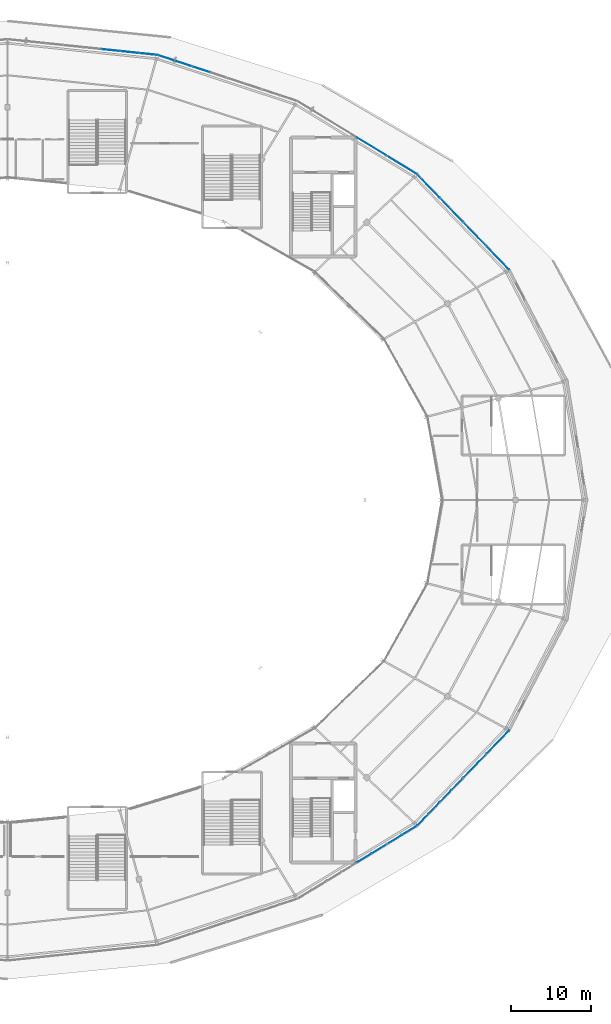
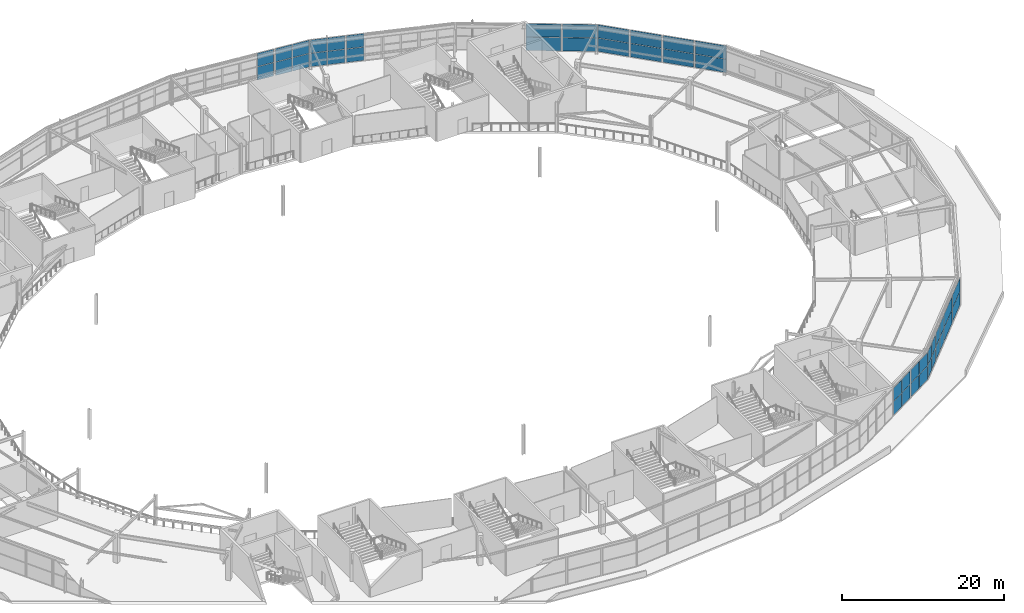
# One storey, part 99 of 126: 44 plates, 16 elements without a shape of their own.
"""IFC4 building model written with IfcOpenShell, lengths in metres."""

from ifc_helpers import new_model, si_unit, direction, frame, origin, origin_2d, place, context, subcontext, project, spatial, rectangle, extrude, material, layer, layer_set, type_object, element, aggregate, save


model = new_model("IFC4")

# Units and contexts
model_context = context("Model", 3, precision=1e-05, world=origin(), true_north=direction((0.0, 1.0)))
body_context = subcontext(model_context, "Body", "Model", "MODEL_VIEW")
ifc_project = project(units=[si_unit("LENGTHUNIT", "METRE"), si_unit("AREAUNIT", "SQUARE_METRE"), si_unit("VOLUMEUNIT", "CUBIC_METRE"), si_unit("PLANEANGLEUNIT", "RADIAN"), si_unit("MASSUNIT", "GRAM", prefix="KILO")], contexts=[model_context])

# Site, building, storey
site_placement = place(None, origin())
site = spatial("IfcSite", under=ifc_project, at=site_placement, CompositionType="ELEMENT")
building_placement = place(site_placement, origin())
building = spatial("IfcBuilding", under=site, at=building_placement, Name="Kalgoora Escarpment Arena", CompositionType="ELEMENT")
storey_placement = place(building_placement, frame((0.0, 0.0, 18.89990234375)))
storey = spatial("IfcBuildingStorey", under=building, at=storey_placement, Name="L04", CompositionType="ELEMENT", Elevation=18.89990234375)

# Curtain wall, plates
ifc_material_1 = material(Name=" Champagne anodised aluminium & double-glazed low-E", Category="aluminium")
ifc_layer_1 = layer(ifc_material_1, 0.166015625)
ifc_layer_set_1 = layer_set([ifc_layer_1], Name="CW-UNIT-19")
curtain_wall_type_1 = type_object("IfcCurtainWallType", Name="CW-UNIT-19", PredefinedType="NOTDEFINED", material=ifc_layer_set_1)
curtain_wall_1_placement = place(storey_placement, origin())
curtain_wall_1 = element("IfcCurtainWall", 1, at=curtain_wall_1_placement, inside=storey, type_object=curtain_wall_type_1, Name="L04 unitised facade curtain wall 098", PredefinedType="NOTDEFINED")
ifc_material_2 = material(Name="Low-E double-glazed insulated glass", Category="glass")
ifc_layer_2 = layer(ifc_material_2, 0.028076171875)
ifc_layer_set_2 = layer_set([ifc_layer_2], Name="PLT-CW-GLAZ-28")
plate_type_1 = type_object("IfcPlateType", Name="PLT-CW-GLAZ-28", PredefinedType="CURTAIN_PANEL", material=ifc_layer_set_2)
plate_1_placement = place(storey_placement, frame((153.593017578125, 33.81005859375, 0.0751953125), z_axis=(0.0, 0.0, 1.0), x_axis=(-0.69420247723, -0.719779772297, 0.0)))
plate_1 = element("IfcPlate", 2, at=plate_1_placement, type_object=plate_type_1, Name="CW-19 panel 1.1", PredefinedType="CURTAIN_PANEL", context=body_context, shape_type="SweptSolid", body=[
    extrude(rectangle(XDim=3.973388671875, YDim=0.028076171875, at=origin_2d()), origin(), (0.0, 0.0, 1.0), 2.012451171875),
])
plate_2_placement = place(storey_placement, frame((153.593017578125, 33.81005859375, 2.142578125), z_axis=(0.0, 0.0, 1.0), x_axis=(-0.69420247723, -0.719779772297, 0.0)))
plate_2 = element("IfcPlate", 3, at=plate_2_placement, type_object=plate_type_1, Name="CW-19 panel 1.2", PredefinedType="CURTAIN_PANEL", context=body_context, shape_type="SweptSolid", body=[
    extrude(rectangle(XDim=3.973388671875, YDim=0.028076171875, at=origin_2d()), origin(), (0.0, 0.0, 1.0), 1.992431640625),
])
aggregate(curtain_wall_1, [plate_1, plate_2])

ifc_material_3 = material(Name=" Champagne anodised aluminium & double-glazed low-E", Category="aluminium")
ifc_layer_3 = layer(ifc_material_3, 0.154052734375)
ifc_layer_set_3 = layer_set([ifc_layer_3], Name="CW-UNIT-01")
curtain_wall_type_2 = type_object("IfcCurtainWallType", Name="CW-UNIT-01", PredefinedType="NOTDEFINED", material=ifc_layer_set_3)
curtain_wall_2_placement = place(storey_placement, origin())
curtain_wall_2 = element("IfcCurtainWall", 4, at=curtain_wall_2_placement, inside=storey, type_object=curtain_wall_type_2, Name="L04 unitised facade curtain wall 100", PredefinedType="NOTDEFINED")
plate_3_placement = place(storey_placement, frame((148.51318359375, 28.543212890625, 0.080078125), z_axis=(0.0, 0.0, 1.0), x_axis=(-0.694205135116, -0.719777208849, 0.0)))
plate_3 = element("IfcPlate", 5, at=plate_3_placement, type_object=plate_type_1, Name="CW-01 panel 1.1", PredefinedType="CURTAIN_PANEL", context=body_context, shape_type="SweptSolid", body=[
    extrude(rectangle(XDim=1.92431640625, YDim=0.028076171875, at=origin_2d()), origin(), (0.0, 0.0, 1.0), 2.0048828125),
])
plate_4_placement = place(storey_placement, frame((148.51318359375, 28.543212890625, 2.14501953125), z_axis=(0.0, 0.0, 1.0), x_axis=(-0.694205135116, -0.719777208849, 0.0)))
plate_4 = element("IfcPlate", 6, at=plate_4_placement, type_object=plate_type_1, Name="CW-01 panel 1.2", PredefinedType="CURTAIN_PANEL", context=body_context, shape_type="SweptSolid", body=[
    extrude(rectangle(XDim=1.92431640625, YDim=0.028076171875, at=origin_2d()), origin(), (0.0, 0.0, 1.0), 1.985107421875),
])
plate_5_placement = place(storey_placement, frame((147.13232421875, 27.111572265625, 0.080078125), z_axis=(0.0, 0.0, 1.0), x_axis=(-0.694205135116, -0.719777208849, 0.0)))
plate_5 = element("IfcPlate", 7, at=plate_5_placement, type_object=plate_type_1, Name="CW-01 panel 2.1", PredefinedType="CURTAIN_PANEL", context=body_context, shape_type="SweptSolid", body=[
    extrude(rectangle(XDim=1.92431640625, YDim=0.028076171875, at=origin_2d()), origin(), (0.0, 0.0, 1.0), 2.0048828125),
])
plate_6_placement = place(storey_placement, frame((147.13232421875, 27.111572265625, 2.14501953125), z_axis=(0.0, 0.0, 1.0), x_axis=(-0.694205135116, -0.719777208849, 0.0)))
plate_6 = element("IfcPlate", 8, at=plate_6_placement, type_object=plate_type_1, Name="CW-01 panel 2.2", PredefinedType="CURTAIN_PANEL", context=body_context, shape_type="SweptSolid", body=[
    extrude(rectangle(XDim=1.92431640625, YDim=0.028076171875, at=origin_2d()), origin(), (0.0, 0.0, 1.0), 1.985107421875),
])
aggregate(curtain_wall_2, [plate_3, plate_4, plate_5, plate_6])

ifc_material_4 = material(Name=" Champagne anodised aluminium & double-glazed low-E", Category="aluminium")
ifc_layer_4 = layer(ifc_material_4, 0.162109375)
ifc_layer_set_4 = layer_set([ifc_layer_4], Name="CW-UNIT-03")
curtain_wall_type_3 = type_object("IfcCurtainWallType", Name="CW-UNIT-03", PredefinedType="NOTDEFINED", material=ifc_layer_set_4)
curtain_wall_3_placement = place(storey_placement, origin())
curtain_wall_3 = element("IfcCurtainWall", 9, at=curtain_wall_3_placement, inside=storey, type_object=curtain_wall_type_3, Name="L04 unitised facade curtain wall 102", PredefinedType="NOTDEFINED")
plate_7_placement = place(storey_placement, frame((142.57958984375, 22.79150390625, 0.080078125), z_axis=(0.0, 0.0, 1.0), x_axis=(-0.85353235978, -0.521039836105, 0.0)))
plate_7 = element("IfcPlate", 10, at=plate_7_placement, type_object=plate_type_1, Name="CW-03 panel 1.1", PredefinedType="CURTAIN_PANEL", context=body_context, shape_type="SweptSolid", body=[
    extrude(rectangle(XDim=2.10205078125, YDim=0.028076171875, at=origin_2d()), origin(), (0.0, 0.0, 1.0), 2.0048828125),
])
plate_8_placement = place(storey_placement, frame((142.57958984375, 22.79150390625, 2.14501953125), z_axis=(0.0, 0.0, 1.0), x_axis=(-0.85353235978, -0.521039836105, 0.0)))
plate_8 = element("IfcPlate", 11, at=plate_8_placement, type_object=plate_type_1, Name="CW-03 panel 1.2", PredefinedType="CURTAIN_PANEL", context=body_context, shape_type="SweptSolid", body=[
    extrude(rectangle(XDim=2.10205078125, YDim=0.028076171875, at=origin_2d()), origin(), (0.0, 0.0, 1.0), 1.985107421875),
])
plate_9_placement = place(storey_placement, frame((140.72998046875, 21.662353515625, 0.080078125), z_axis=(0.0, 0.0, 1.0), x_axis=(-0.85353235978, -0.521039836105, 0.0)))
plate_9 = element("IfcPlate", 12, at=plate_9_placement, type_object=plate_type_1, Name="CW-03 panel 2.1", PredefinedType="CURTAIN_PANEL", context=body_context, shape_type="SweptSolid", body=[
    extrude(rectangle(XDim=2.10205078125, YDim=0.028076171875, at=origin_2d()), origin(), (0.0, 0.0, 1.0), 2.0048828125),
])
plate_10_placement = place(storey_placement, frame((140.72998046875, 21.662353515625, 2.14501953125), z_axis=(0.0, 0.0, 1.0), x_axis=(-0.85353235978, -0.521039836105, 0.0)))
plate_10 = element("IfcPlate", 13, at=plate_10_placement, type_object=plate_type_1, Name="CW-03 panel 2.2", PredefinedType="CURTAIN_PANEL", context=body_context, shape_type="SweptSolid", body=[
    extrude(rectangle(XDim=2.10205078125, YDim=0.028076171875, at=origin_2d()), origin(), (0.0, 0.0, 1.0), 1.985107421875),
])
aggregate(curtain_wall_3, [plate_7, plate_8, plate_9, plate_10])

ifc_material_5 = material(Name=" Champagne anodised aluminium & double-glazed low-E", Category="aluminium")
ifc_layer_5 = layer(ifc_material_5, 0.14990234375)
ifc_layer_set_5 = layer_set([ifc_layer_5], Name="CW-UNIT-05")
curtain_wall_type_4 = type_object("IfcCurtainWallType", Name="CW-UNIT-05", PredefinedType="NOTDEFINED", material=ifc_layer_set_5)
curtain_wall_4_placement = place(storey_placement, origin())
curtain_wall_4 = element("IfcCurtainWall", 14, at=curtain_wall_4_placement, inside=storey, type_object=curtain_wall_type_4, Name="L04 unitised facade curtain wall 164", PredefinedType="NOTDEFINED")
plate_11_placement = place(storey_placement, frame((105.229248046875, 120.135498046875, 0.080078125), z_axis=(0.0, 0.0, 1.0), x_axis=(0.994558216596, -0.104182310405, 0.0)))
plate_11 = element("IfcPlate", 15, at=plate_11_placement, type_object=plate_type_1, Name="CW-05 panel 2.1", PredefinedType="CURTAIN_PANEL", context=body_context, shape_type="SweptSolid", body=[
    extrude(rectangle(XDim=2.20751953125, YDim=0.028076171875, at=origin_2d()), origin(), (0.0, 0.0, 1.0), 1.9951171875),
])
plate_12_placement = place(storey_placement, frame((105.229248046875, 120.135498046875, 2.135009765625), z_axis=(0.0, 0.0, 1.0), x_axis=(0.994558216596, -0.104182310405, 0.0)))
plate_12 = element("IfcPlate", 16, at=plate_12_placement, type_object=plate_type_1, Name="CW-05 panel 2.2", PredefinedType="CURTAIN_PANEL", context=body_context, shape_type="SweptSolid", body=[
    extrude(rectangle(XDim=2.20751953125, YDim=0.028076171875, at=origin_2d()), origin(), (0.0, 0.0, 1.0), 1.97509765625),
])
aggregate(curtain_wall_4, [plate_11, plate_12])

ifc_material_6 = material(Name=" Champagne anodised aluminium & double-glazed low-E", Category="aluminium")
ifc_layer_6 = layer(ifc_material_6, 0.157958984375)
ifc_layer_set_6 = layer_set([ifc_layer_6], Name="CW-UNIT-07")
curtain_wall_type_5 = type_object("IfcCurtainWallType", Name="CW-UNIT-07", PredefinedType="NOTDEFINED", material=ifc_layer_set_6)
curtain_wall_5_placement = place(storey_placement, origin())
curtain_wall_5 = element("IfcCurtainWall", 17, at=curtain_wall_5_placement, inside=storey, type_object=curtain_wall_type_5, Name="L04 unitised facade curtain wall 166", PredefinedType="NOTDEFINED")
plate_13_placement = place(storey_placement, frame((112.19580078125, 119.16259765625, 0.080078125), z_axis=(0.0, 0.0, 1.0), x_axis=(0.949759939888, -0.312979322933, 0.0)))
plate_13 = element("IfcPlate", 18, at=plate_13_placement, type_object=plate_type_1, Name="CW-07 panel 1.1", PredefinedType="CURTAIN_PANEL", context=body_context, shape_type="SweptSolid", body=[
    extrude(rectangle(XDim=2.175537109375, YDim=0.028076171875, at=origin_2d()), origin(), (0.0, 0.0, 1.0), 1.9951171875),
])
plate_14_placement = place(storey_placement, frame((112.19580078125, 119.16259765625, 2.135009765625), z_axis=(0.0, 0.0, 1.0), x_axis=(0.949759939888, -0.312979322933, 0.0)))
plate_14 = element("IfcPlate", 19, at=plate_14_placement, type_object=plate_type_1, Name="CW-07 panel 1.2", PredefinedType="CURTAIN_PANEL", context=body_context, shape_type="SweptSolid", body=[
    extrude(rectangle(XDim=2.175537109375, YDim=0.028076171875, at=origin_2d()), origin(), (0.0, 0.0, 1.0), 1.97509765625),
])
plate_15_placement = place(storey_placement, frame((114.323974609375, 118.461181640625, 0.080078125), z_axis=(0.0, 0.0, 1.0), x_axis=(0.949759939888, -0.312979322933, 0.0)))
plate_15 = element("IfcPlate", 20, at=plate_15_placement, type_object=plate_type_1, Name="CW-07 panel 2.1", PredefinedType="CURTAIN_PANEL", context=body_context, shape_type="SweptSolid", body=[
    extrude(rectangle(XDim=2.175537109375, YDim=0.028076171875, at=origin_2d()), origin(), (0.0, 0.0, 1.0), 1.9951171875),
])
plate_16_placement = place(storey_placement, frame((114.323974609375, 118.461181640625, 2.135009765625), z_axis=(0.0, 0.0, 1.0), x_axis=(0.949759939888, -0.312979322933, 0.0)))
plate_16 = element("IfcPlate", 21, at=plate_16_placement, type_object=plate_type_1, Name="CW-07 panel 2.2", PredefinedType="CURTAIN_PANEL", context=body_context, shape_type="SweptSolid", body=[
    extrude(rectangle(XDim=2.175537109375, YDim=0.028076171875, at=origin_2d()), origin(), (0.0, 0.0, 1.0), 1.97509765625),
])
aggregate(curtain_wall_5, [plate_13, plate_14, plate_15, plate_16])

ifc_material_7 = material(Name=" Champagne anodised aluminium & double-glazed low-E", Category="aluminium")
ifc_layer_7 = layer(ifc_material_7, 0.162109375)
ifc_layer_set_7 = layer_set([ifc_layer_7], Name="CW-UNIT-13")
curtain_wall_type_6 = type_object("IfcCurtainWallType", Name="CW-UNIT-13", PredefinedType="NOTDEFINED", material=ifc_layer_set_7)
curtain_wall_6_placement = place(storey_placement, origin())
curtain_wall_6 = element("IfcCurtainWall", 22, at=curtain_wall_6_placement, inside=storey, type_object=curtain_wall_type_6, Name="L04 unitised facade curtain wall 172", PredefinedType="NOTDEFINED")
plate_17_placement = place(storey_placement, frame((137.814697265625, 108.1171875, 0.0751953125), z_axis=(0.0, 0.0, 1.0), x_axis=(0.853516077733, -0.52106650732, 0.0)))
plate_17 = element("IfcPlate", 23, at=plate_17_placement, type_object=plate_type_1, Name="CW-13 panel 1.1", PredefinedType="CURTAIN_PANEL", context=body_context, shape_type="SweptSolid", body=[
    extrude(rectangle(XDim=4.27880859375, YDim=0.028076171875, at=origin_2d()), origin(), (0.0, 0.0, 1.0), 2.00244140625),
])
plate_18_placement = place(storey_placement, frame((137.814697265625, 108.1171875, 2.132568359375), z_axis=(0.0, 0.0, 1.0), x_axis=(0.853516077733, -0.52106650732, 0.0)))
plate_18 = element("IfcPlate", 24, at=plate_18_placement, type_object=plate_type_1, Name="CW-13 panel 1.2", PredefinedType="CURTAIN_PANEL", context=body_context, shape_type="SweptSolid", body=[
    extrude(rectangle(XDim=4.27880859375, YDim=0.028076171875, at=origin_2d()), origin(), (0.0, 0.0, 1.0), 1.982421875),
])
aggregate(curtain_wall_6, [plate_17, plate_18])

ifc_material_8 = material(Name=" Champagne anodised aluminium & double-glazed low-E", Category="aluminium")
ifc_layer_8 = layer(ifc_material_8, 0.14990234375)
ifc_layer_set_8 = layer_set([ifc_layer_8], Name="CW-UNIT-15")
curtain_wall_type_7 = type_object("IfcCurtainWallType", Name="CW-UNIT-15", PredefinedType="NOTDEFINED", material=ifc_layer_set_8)
curtain_wall_7_placement = place(storey_placement, origin())
curtain_wall_7 = element("IfcCurtainWall", 25, at=curtain_wall_7_placement, inside=storey, type_object=curtain_wall_type_7, Name="L04 unitised facade curtain wall 174", PredefinedType="NOTDEFINED")
plate_19_placement = place(storey_placement, frame((144.928955078125, 103.1728515625, 0.0751953125), z_axis=(0.0, 0.0, 1.0), x_axis=(0.69420247723, -0.719779772297, 0.0)))
plate_19 = element("IfcPlate", 26, at=plate_19_placement, type_object=plate_type_1, Name="CW-15 panel 1.1", PredefinedType="CURTAIN_PANEL", context=body_context, shape_type="SweptSolid", body=[
    extrude(rectangle(XDim=3.973388671875, YDim=0.028076171875, at=origin_2d()), origin(), (0.0, 0.0, 1.0), 2.00244140625),
])
plate_20_placement = place(storey_placement, frame((144.928955078125, 103.1728515625, 2.132568359375), z_axis=(0.0, 0.0, 1.0), x_axis=(0.69420247723, -0.719779772297, 0.0)))
plate_20 = element("IfcPlate", 27, at=plate_20_placement, type_object=plate_type_1, Name="CW-15 panel 1.2", PredefinedType="CURTAIN_PANEL", context=body_context, shape_type="SweptSolid", body=[
    extrude(rectangle(XDim=3.973388671875, YDim=0.028076171875, at=origin_2d()), origin(), (0.0, 0.0, 1.0), 1.982421875),
])
aggregate(curtain_wall_7, [plate_19, plate_20])

ifc_material_9 = material(Name=" Champagne anodised aluminium & double-glazed low-E", Category="aluminium")
ifc_layer_9 = layer(ifc_material_9, 0.157958984375)
ifc_layer_set_9 = layer_set([ifc_layer_9], Name="CW-UNIT-17")
curtain_wall_type_8 = type_object("IfcCurtainWallType", Name="CW-UNIT-17", PredefinedType="NOTDEFINED", material=ifc_layer_set_9)
curtain_wall_8_placement = place(storey_placement, origin())
curtain_wall_8 = element("IfcCurtainWall", 28, at=curtain_wall_8_placement, inside=storey, type_object=curtain_wall_type_8, Name="L04 unitised facade curtain wall 176", PredefinedType="NOTDEFINED")
plate_21_placement = place(storey_placement, frame((150.69921875, 97.190185546875, 0.0751953125), z_axis=(0.0, 0.0, 1.0), x_axis=(0.694205135116, -0.719777208849, 0.0)))
plate_21 = element("IfcPlate", 29, at=plate_21_placement, type_object=plate_type_1, Name="CW-17 panel 1.1", PredefinedType="CURTAIN_PANEL", context=body_context, shape_type="SweptSolid", body=[
    extrude(rectangle(XDim=3.923583984375, YDim=0.028076171875, at=origin_2d()), origin(), (0.0, 0.0, 1.0), 2.00244140625),
])
plate_22_placement = place(storey_placement, frame((150.69921875, 97.190185546875, 2.132568359375), z_axis=(0.0, 0.0, 1.0), x_axis=(0.694205135116, -0.719777208849, 0.0)))
plate_22 = element("IfcPlate", 30, at=plate_22_placement, type_object=plate_type_1, Name="CW-17 panel 1.2", PredefinedType="CURTAIN_PANEL", context=body_context, shape_type="SweptSolid", body=[
    extrude(rectangle(XDim=3.923583984375, YDim=0.028076171875, at=origin_2d()), origin(), (0.0, 0.0, 1.0), 1.982421875),
])
aggregate(curtain_wall_8, [plate_21, plate_22])

ifc_material_10 = material(Name=" Champagne anodised aluminium & double-glazed low-E", Category="aluminium")
ifc_layer_10 = layer(ifc_material_10, 0.14990234375)
ifc_layer_set_10 = layer_set([ifc_layer_10], Name="CW-UNIT-20")
curtain_wall_type_9 = type_object("IfcCurtainWallType", Name="CW-UNIT-20", PredefinedType="NOTDEFINED", material=ifc_layer_set_10)
curtain_wall_9_placement = place(storey_placement, origin())
curtain_wall_9 = element("IfcCurtainWall", 31, at=curtain_wall_9_placement, inside=storey, type_object=curtain_wall_type_9, Name="L04 unitised facade curtain wall 099", PredefinedType="NOTDEFINED")
ifc_material_11 = material(Name="Acoustic laminated solar-control glass", Category="glass")
ifc_layer_11 = layer(ifc_material_11, 0.033935546875)
ifc_layer_set_11 = layer_set([ifc_layer_11], Name="PLT-CW-GLAZ-34")
plate_type_2 = type_object("IfcPlateType", Name="PLT-CW-GLAZ-34", PredefinedType="CURTAIN_PANEL", material=ifc_layer_set_11)
plate_23_placement = place(storey_placement, frame((150.69921875, 30.809814453125, 0.0751953125), z_axis=(0.0, 0.0, 1.0), x_axis=(-0.694205135116, -0.719777208849, 0.0)))
plate_23 = element("IfcPlate", 32, at=plate_23_placement, type_object=plate_type_2, Name="CW-20 panel 1.1", PredefinedType="CURTAIN_PANEL", context=body_context, shape_type="SweptSolid", body=[
    extrude(rectangle(XDim=3.923583984375, YDim=0.033935546875, at=origin_2d()), origin(), (0.0, 0.0, 1.0), 2.012451171875),
])
plate_24_placement = place(storey_placement, frame((150.69921875, 30.809814453125, 2.142578125), z_axis=(0.0, 0.0, 1.0), x_axis=(-0.694205135116, -0.719777208849, 0.0)))
plate_24 = element("IfcPlate", 33, at=plate_24_placement, type_object=plate_type_2, Name="CW-20 panel 1.2", PredefinedType="CURTAIN_PANEL", context=body_context, shape_type="SweptSolid", body=[
    extrude(rectangle(XDim=3.923583984375, YDim=0.033935546875, at=origin_2d()), origin(), (0.0, 0.0, 1.0), 1.992431640625),
])
aggregate(curtain_wall_9, [plate_23, plate_24])

ifc_material_12 = material(Name=" Champagne anodised aluminium & double-glazed low-E", Category="aluminium")
ifc_layer_12 = layer(ifc_material_12, 0.157958984375)
ifc_layer_set_12 = layer_set([ifc_layer_12], Name="CW-UNIT-02")
curtain_wall_type_10 = type_object("IfcCurtainWallType", Name="CW-UNIT-02", PredefinedType="NOTDEFINED", material=ifc_layer_set_12)
curtain_wall_10_placement = place(storey_placement, origin())
curtain_wall_10 = element("IfcCurtainWall", 34, at=curtain_wall_10_placement, inside=storey, type_object=curtain_wall_type_10, Name="L04 unitised facade curtain wall 101", PredefinedType="NOTDEFINED")
plate_25_placement = place(storey_placement, frame((145.628173828125, 25.552001953125, 0.080078125), z_axis=(0.0, 0.0, 1.0), x_axis=(-0.69420247723, -0.719779772297, 0.0)))
plate_25 = element("IfcPlate", 35, at=plate_25_placement, type_object=plate_type_2, Name="CW-02 panel 1.1", PredefinedType="CURTAIN_PANEL", context=body_context, shape_type="SweptSolid", body=[
    extrude(rectangle(XDim=1.94921875, YDim=0.033935546875, at=origin_2d()), origin(), (0.0, 0.0, 1.0), 2.0048828125),
])
plate_26_placement = place(storey_placement, frame((145.628173828125, 25.552001953125, 2.14501953125), z_axis=(0.0, 0.0, 1.0), x_axis=(-0.69420247723, -0.719779772297, 0.0)))
plate_26 = element("IfcPlate", 36, at=plate_26_placement, type_object=plate_type_2, Name="CW-02 panel 1.2", PredefinedType="CURTAIN_PANEL", context=body_context, shape_type="SweptSolid", body=[
    extrude(rectangle(XDim=1.94921875, YDim=0.033935546875, at=origin_2d()), origin(), (0.0, 0.0, 1.0), 1.985107421875),
])
plate_27_placement = place(storey_placement, frame((144.229736328125, 24.102294921875, 0.080078125), z_axis=(0.0, 0.0, 1.0), x_axis=(-0.69420247723, -0.719779772297, 0.0)))
plate_27 = element("IfcPlate", 37, at=plate_27_placement, type_object=plate_type_2, Name="CW-02 panel 2.1", PredefinedType="CURTAIN_PANEL", context=body_context, shape_type="SweptSolid", body=[
    extrude(rectangle(XDim=1.94921875, YDim=0.033935546875, at=origin_2d()), origin(), (0.0, 0.0, 1.0), 2.0048828125),
])
plate_28_placement = place(storey_placement, frame((144.229736328125, 24.102294921875, 2.14501953125), z_axis=(0.0, 0.0, 1.0), x_axis=(-0.69420247723, -0.719779772297, 0.0)))
plate_28 = element("IfcPlate", 38, at=plate_28_placement, type_object=plate_type_2, Name="CW-02 panel 2.2", PredefinedType="CURTAIN_PANEL", context=body_context, shape_type="SweptSolid", body=[
    extrude(rectangle(XDim=1.94921875, YDim=0.033935546875, at=origin_2d()), origin(), (0.0, 0.0, 1.0), 1.985107421875),
])
aggregate(curtain_wall_10, [plate_25, plate_26, plate_27, plate_28])

ifc_material_13 = material(Name=" Champagne anodised aluminium & double-glazed low-E", Category="aluminium")
ifc_layer_13 = layer(ifc_material_13, 0.166015625)
ifc_layer_set_13 = layer_set([ifc_layer_13], Name="CW-UNIT-04")
curtain_wall_type_11 = type_object("IfcCurtainWallType", Name="CW-UNIT-04", PredefinedType="NOTDEFINED", material=ifc_layer_set_13)
curtain_wall_11_placement = place(storey_placement, origin())
curtain_wall_11 = element("IfcCurtainWall", 39, at=curtain_wall_11_placement, inside=storey, type_object=curtain_wall_type_11, Name="L04 unitised facade curtain wall 103", PredefinedType="NOTDEFINED")
plate_29_placement = place(storey_placement, frame((138.739501953125, 20.447509765625, 0.080078125), z_axis=(0.0, 0.0, 1.0), x_axis=(-0.853516077733, -0.52106650732, 0.0)))
plate_29 = element("IfcPlate", 40, at=plate_29_placement, type_object=plate_type_2, Name="CW-04 panel 1.1", PredefinedType="CURTAIN_PANEL", context=body_context, shape_type="SweptSolid", body=[
    extrude(rectangle(XDim=2.10205078125, YDim=0.033935546875, at=origin_2d()), origin(), (0.0, 0.0, 1.0), 2.0048828125),
])
plate_30_placement = place(storey_placement, frame((138.739501953125, 20.447509765625, 2.14501953125), z_axis=(0.0, 0.0, 1.0), x_axis=(-0.853516077733, -0.52106650732, 0.0)))
plate_30 = element("IfcPlate", 41, at=plate_30_placement, type_object=plate_type_2, Name="CW-04 panel 1.2", PredefinedType="CURTAIN_PANEL", context=body_context, shape_type="SweptSolid", body=[
    extrude(rectangle(XDim=2.10205078125, YDim=0.033935546875, at=origin_2d()), origin(), (0.0, 0.0, 1.0), 1.985107421875),
])
plate_31_placement = place(storey_placement, frame((136.889892578125, 19.318359375, 0.080078125), z_axis=(0.0, 0.0, 1.0), x_axis=(-0.853516077733, -0.52106650732, 0.0)))
plate_31 = element("IfcPlate", 42, at=plate_31_placement, type_object=plate_type_2, Name="CW-04 panel 2.1", PredefinedType="CURTAIN_PANEL", context=body_context, shape_type="SweptSolid", body=[
    extrude(rectangle(XDim=2.10205078125, YDim=0.033935546875, at=origin_2d()), origin(), (0.0, 0.0, 1.0), 2.0048828125),
])
plate_32_placement = place(storey_placement, frame((136.889892578125, 19.318359375, 2.14501953125), z_axis=(0.0, 0.0, 1.0), x_axis=(-0.853516077733, -0.52106650732, 0.0)))
plate_32 = element("IfcPlate", 43, at=plate_32_placement, type_object=plate_type_2, Name="CW-04 panel 2.2", PredefinedType="CURTAIN_PANEL", context=body_context, shape_type="SweptSolid", body=[
    extrude(rectangle(XDim=2.10205078125, YDim=0.033935546875, at=origin_2d()), origin(), (0.0, 0.0, 1.0), 1.985107421875),
])
aggregate(curtain_wall_11, [plate_29, plate_30, plate_31, plate_32])

ifc_material_14 = material(Name=" Champagne anodised aluminium & double-glazed low-E", Category="aluminium")
ifc_layer_14 = layer(ifc_material_14, 0.154052734375)
ifc_layer_set_14 = layer_set([ifc_layer_14], Name="CW-UNIT-06")
curtain_wall_type_12 = type_object("IfcCurtainWallType", Name="CW-UNIT-06", PredefinedType="NOTDEFINED", material=ifc_layer_set_14)
curtain_wall_12_placement = place(storey_placement, origin())
curtain_wall_12 = element("IfcCurtainWall", 44, at=curtain_wall_12_placement, inside=storey, type_object=curtain_wall_type_12, Name="L04 unitised facade curtain wall 165", PredefinedType="NOTDEFINED")
plate_33_placement = place(storey_placement, frame((107.666015625, 119.88037109375, 0.080078125), z_axis=(0.0, 0.0, 1.0), x_axis=(0.994560810247, -0.10415754759, 0.0)))
plate_33 = element("IfcPlate", 45, at=plate_33_placement, type_object=plate_type_2, Name="CW-06 panel 1.1", PredefinedType="CURTAIN_PANEL", context=body_context, shape_type="SweptSolid", body=[
    extrude(rectangle(XDim=2.232666015625, YDim=0.033935546875, at=origin_2d()), origin(), (0.0, 0.0, 1.0), 1.9951171875),
])
plate_34_placement = place(storey_placement, frame((107.666015625, 119.88037109375, 2.135009765625), z_axis=(0.0, 0.0, 1.0), x_axis=(0.994560810247, -0.10415754759, 0.0)))
plate_34 = element("IfcPlate", 46, at=plate_34_placement, type_object=plate_type_2, Name="CW-06 panel 1.2", PredefinedType="CURTAIN_PANEL", context=body_context, shape_type="SweptSolid", body=[
    extrude(rectangle(XDim=2.232666015625, YDim=0.033935546875, at=origin_2d()), origin(), (0.0, 0.0, 1.0), 1.97509765625),
])
plate_35_placement = place(storey_placement, frame((109.951171875, 119.64111328125, 0.080078125), z_axis=(0.0, 0.0, 1.0), x_axis=(0.994560810247, -0.10415754759, 0.0)))
plate_35 = element("IfcPlate", 47, at=plate_35_placement, type_object=plate_type_2, Name="CW-06 panel 2.1", PredefinedType="CURTAIN_PANEL", context=body_context, shape_type="SweptSolid", body=[
    extrude(rectangle(XDim=2.232666015625, YDim=0.033935546875, at=origin_2d()), origin(), (0.0, 0.0, 1.0), 1.9951171875),
])
plate_36_placement = place(storey_placement, frame((109.951171875, 119.64111328125, 2.135009765625), z_axis=(0.0, 0.0, 1.0), x_axis=(0.994560810247, -0.10415754759, 0.0)))
plate_36 = element("IfcPlate", 48, at=plate_36_placement, type_object=plate_type_2, Name="CW-06 panel 2.2", PredefinedType="CURTAIN_PANEL", context=body_context, shape_type="SweptSolid", body=[
    extrude(rectangle(XDim=2.232666015625, YDim=0.033935546875, at=origin_2d()), origin(), (0.0, 0.0, 1.0), 1.97509765625),
])
aggregate(curtain_wall_12, [plate_33, plate_34, plate_35, plate_36])

ifc_material_15 = material(Name=" Champagne anodised aluminium & double-glazed low-E", Category="aluminium")
ifc_layer_15 = layer(ifc_material_15, 0.162109375)
ifc_layer_set_15 = layer_set([ifc_layer_15], Name="CW-UNIT-08")
curtain_wall_type_13 = type_object("IfcCurtainWallType", Name="CW-UNIT-08", PredefinedType="NOTDEFINED", material=ifc_layer_set_15)
curtain_wall_13_placement = place(storey_placement, origin())
curtain_wall_13 = element("IfcCurtainWall", 49, at=curtain_wall_13_placement, inside=storey, type_object=curtain_wall_type_13, Name="L04 unitised facade curtain wall 167", PredefinedType="NOTDEFINED")
plate_37_placement = place(storey_placement, frame((116.596923828125, 117.712158203125, 0.080078125), z_axis=(0.0, 0.0, 1.0), x_axis=(0.949763052265, -0.312969878028, 0.0)))
plate_37 = element("IfcPlate", 50, at=plate_37_placement, type_object=plate_type_2, Name="CW-08 panel 1.1", PredefinedType="CURTAIN_PANEL", context=body_context, shape_type="SweptSolid", body=[
    extrude(rectangle(XDim=2.150634765625, YDim=0.033935546875, at=origin_2d()), origin(), (0.0, 0.0, 1.0), 1.9951171875),
])
plate_38_placement = place(storey_placement, frame((116.596923828125, 117.712158203125, 2.135009765625), z_axis=(0.0, 0.0, 1.0), x_axis=(0.949763052265, -0.312969878028, 0.0)))
plate_38 = element("IfcPlate", 51, at=plate_38_placement, type_object=plate_type_2, Name="CW-08 panel 1.2", PredefinedType="CURTAIN_PANEL", context=body_context, shape_type="SweptSolid", body=[
    extrude(rectangle(XDim=2.150634765625, YDim=0.033935546875, at=origin_2d()), origin(), (0.0, 0.0, 1.0), 1.97509765625),
])
aggregate(curtain_wall_13, [plate_37, plate_38])

ifc_material_16 = material(Name=" Champagne anodised aluminium & double-glazed low-E", Category="aluminium")
ifc_layer_16 = layer(ifc_material_16, 0.166015625)
ifc_layer_set_16 = layer_set([ifc_layer_16], Name="CW-UNIT-14")
curtain_wall_type_14 = type_object("IfcCurtainWallType", Name="CW-UNIT-14", PredefinedType="NOTDEFINED", material=ifc_layer_set_16)
curtain_wall_14_placement = place(storey_placement, origin())
curtain_wall_14 = element("IfcCurtainWall", 52, at=curtain_wall_14_placement, inside=storey, type_object=curtain_wall_type_14, Name="L04 unitised facade curtain wall 173", PredefinedType="NOTDEFINED")
plate_39_placement = place(storey_placement, frame((141.65478515625, 105.77294921875, 0.0751953125), z_axis=(0.0, 0.0, 1.0), x_axis=(0.85353235978, -0.521039836105, 0.0)))
plate_39 = element("IfcPlate", 53, at=plate_39_placement, type_object=plate_type_2, Name="CW-14 panel 1.1", PredefinedType="CURTAIN_PANEL", context=body_context, shape_type="SweptSolid", body=[
    extrude(rectangle(XDim=4.27880859375, YDim=0.033935546875, at=origin_2d()), origin(), (0.0, 0.0, 1.0), 2.00244140625),
])
plate_40_placement = place(storey_placement, frame((141.65478515625, 105.77294921875, 2.132568359375), z_axis=(0.0, 0.0, 1.0), x_axis=(0.85353235978, -0.521039836105, 0.0)))
plate_40 = element("IfcPlate", 54, at=plate_40_placement, type_object=plate_type_2, Name="CW-14 panel 1.2", PredefinedType="CURTAIN_PANEL", context=body_context, shape_type="SweptSolid", body=[
    extrude(rectangle(XDim=4.27880859375, YDim=0.033935546875, at=origin_2d()), origin(), (0.0, 0.0, 1.0), 1.982421875),
])
aggregate(curtain_wall_14, [plate_39, plate_40])

ifc_material_17 = material(Name=" Champagne anodised aluminium & double-glazed low-E", Category="aluminium")
ifc_layer_17 = layer(ifc_material_17, 0.154052734375)
ifc_layer_set_17 = layer_set([ifc_layer_17], Name="CW-UNIT-16")
curtain_wall_type_15 = type_object("IfcCurtainWallType", Name="CW-UNIT-16", PredefinedType="NOTDEFINED", material=ifc_layer_set_17)
curtain_wall_15_placement = place(storey_placement, origin())
curtain_wall_15 = element("IfcCurtainWall", 55, at=curtain_wall_15_placement, inside=storey, type_object=curtain_wall_type_15, Name="L04 unitised facade curtain wall 175", PredefinedType="NOTDEFINED")
plate_41_placement = place(storey_placement, frame((147.82275390625, 100.172607421875, 0.0751953125), z_axis=(0.0, 0.0, 1.0), x_axis=(0.694205135116, -0.719777208849, 0.0)))
plate_41 = element("IfcPlate", 56, at=plate_41_placement, type_object=plate_type_2, Name="CW-16 panel 1.1", PredefinedType="CURTAIN_PANEL", context=body_context, shape_type="SweptSolid", body=[
    extrude(rectangle(XDim=3.923583984375, YDim=0.033935546875, at=origin_2d()), origin(), (0.0, 0.0, 1.0), 2.00244140625),
])
plate_42_placement = place(storey_placement, frame((147.82275390625, 100.172607421875, 2.132568359375), z_axis=(0.0, 0.0, 1.0), x_axis=(0.694205135116, -0.719777208849, 0.0)))
plate_42 = element("IfcPlate", 57, at=plate_42_placement, type_object=plate_type_2, Name="CW-16 panel 1.2", PredefinedType="CURTAIN_PANEL", context=body_context, shape_type="SweptSolid", body=[
    extrude(rectangle(XDim=3.923583984375, YDim=0.033935546875, at=origin_2d()), origin(), (0.0, 0.0, 1.0), 1.982421875),
])
aggregate(curtain_wall_15, [plate_41, plate_42])

ifc_material_18 = material(Name=" Champagne anodised aluminium & double-glazed low-E", Category="aluminium")
ifc_layer_18 = layer(ifc_material_18, 0.162109375)
ifc_layer_set_18 = layer_set([ifc_layer_18], Name="CW-UNIT-18")
curtain_wall_type_16 = type_object("IfcCurtainWallType", Name="CW-UNIT-18", PredefinedType="NOTDEFINED", material=ifc_layer_set_18)
curtain_wall_16_placement = place(storey_placement, origin())
curtain_wall_16 = element("IfcCurtainWall", 58, at=curtain_wall_16_placement, inside=storey, type_object=curtain_wall_type_16, Name="L04 unitised facade curtain wall 177", PredefinedType="NOTDEFINED")
plate_43_placement = place(storey_placement, frame((153.593017578125, 94.18994140625, 0.0751953125), z_axis=(0.0, 0.0, 1.0), x_axis=(0.69420247723, -0.719779772297, 0.0)))
plate_43 = element("IfcPlate", 59, at=plate_43_placement, type_object=plate_type_2, Name="CW-18 panel 1.1", PredefinedType="CURTAIN_PANEL", context=body_context, shape_type="SweptSolid", body=[
    extrude(rectangle(XDim=3.973388671875, YDim=0.033935546875, at=origin_2d()), origin(), (0.0, 0.0, 1.0), 2.00244140625),
])
plate_44_placement = place(storey_placement, frame((153.593017578125, 94.18994140625, 2.132568359375), z_axis=(0.0, 0.0, 1.0), x_axis=(0.69420247723, -0.719779772297, 0.0)))
plate_44 = element("IfcPlate", 60, at=plate_44_placement, type_object=plate_type_2, Name="CW-18 panel 1.2", PredefinedType="CURTAIN_PANEL", context=body_context, shape_type="SweptSolid", body=[
    extrude(rectangle(XDim=3.973388671875, YDim=0.033935546875, at=origin_2d()), origin(), (0.0, 0.0, 1.0), 1.982421875),
])
aggregate(curtain_wall_16, [plate_43, plate_44])

save(model, "model.ifc")
